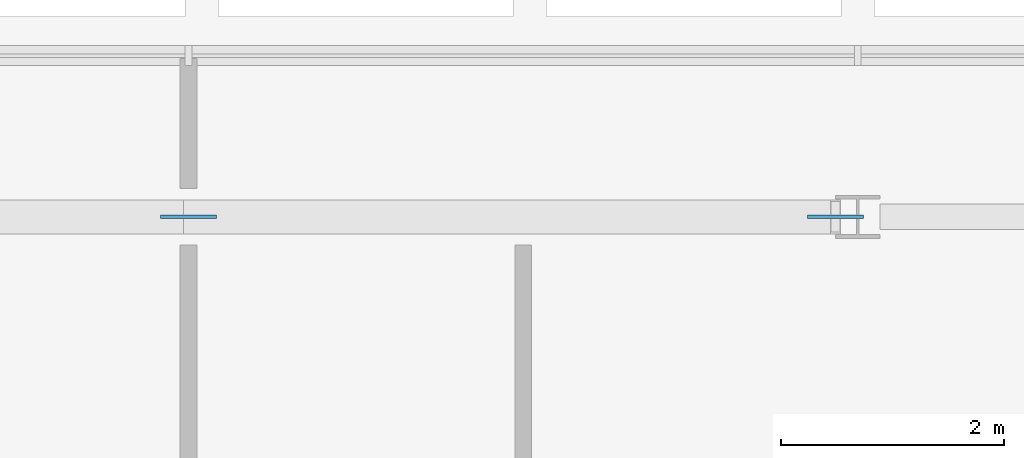
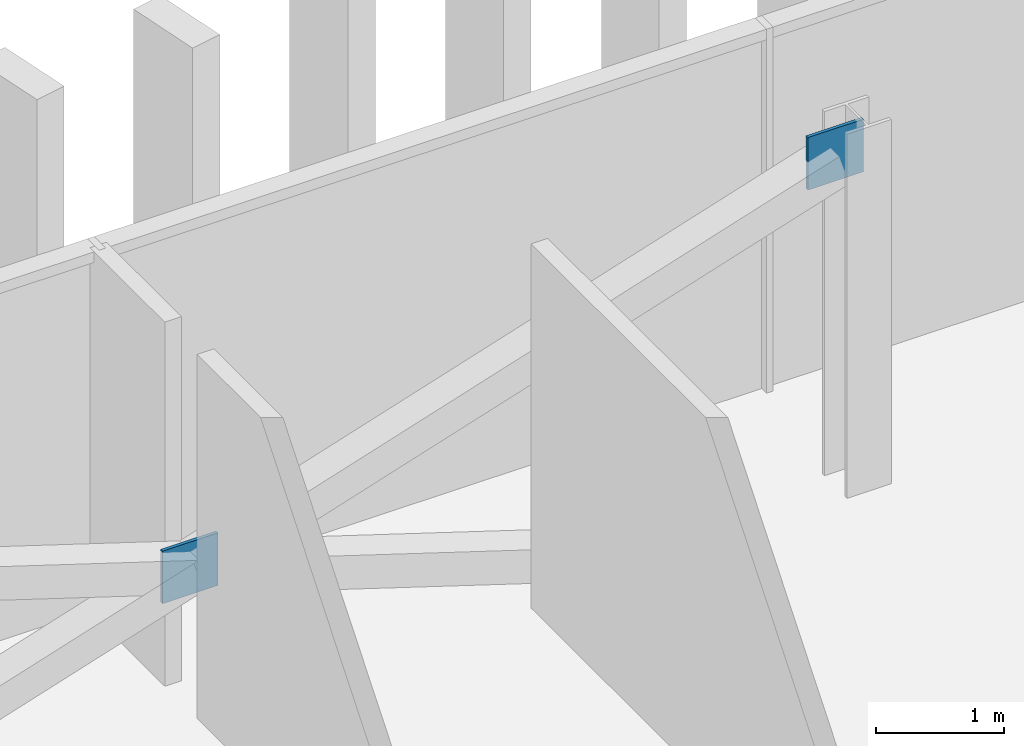
# One storey, part 24 of 32: 2 discrete accessories.
"""IFC4 building model written with IfcOpenShell, lengths in metres."""

from ifc_helpers import new_model, si_unit, direction, frame, origin, origin_2d, place, context, subcontext, project, spatial, rectangle, extrude, material, layer, layer_set, type_object, element, save


model = new_model("IFC4")

# Units and contexts
model_context = context("Model", 3, precision=1e-05, world=origin(), true_north=direction((0.0, 1.0)))
body_context = subcontext(model_context, "Body", "Model", "MODEL_VIEW")
ifc_project = project(units=[si_unit("LENGTHUNIT", "METRE"), si_unit("AREAUNIT", "SQUARE_METRE"), si_unit("VOLUMEUNIT", "CUBIC_METRE"), si_unit("PLANEANGLEUNIT", "RADIAN"), si_unit("MASSUNIT", "GRAM", prefix="KILO")], contexts=[model_context])

# Site, building, storey
site_placement = place(None, origin())
site = spatial("IfcSite", under=ifc_project, at=site_placement, CompositionType="ELEMENT")
building_placement = place(site_placement, origin())
building = spatial("IfcBuilding", under=site, at=building_placement, Name="Mahtab Terrace Research Tower", CompositionType="ELEMENT")
storey_placement = place(building_placement, frame((0.0, 0.0, 240.0)))
storey = spatial("IfcBuildingStorey", under=building, at=storey_placement, Name="L58", CompositionType="ELEMENT", Elevation=240.0)

# Discrete accessories
ifc_material = material(Name="Steel ASTM A992 Gr 50", Category="steel")
ifc_layer = layer(ifc_material, 0.030029296875)
ifc_layer_set = layer_set([ifc_layer], Name="Gusset plate 500x500x30")
discrete_accessory_type = type_object("IfcDiscreteAccessoryType", Name="Gusset plate 500x500x30", PredefinedType="USERDEFINED", material=ifc_layer_set)
for number, where, z_axis, x_axis, name in (
    (1, (0.0, 26.472900390625, 1.006591796875), (0.0, 0.0, 1.0), (1.0, 0.0, 0.0), "Gusset plate"),
    (2, (5.800537109375, 26.472900390625, 2.906494140625), (0.0, 0.0, 1.0), (1.0, 0.0, 0.0), "Gusset plate"),
):
    element("IfcDiscreteAccessory", number, at=place(storey_placement, frame(where, z_axis=z_axis, x_axis=x_axis)), inside=storey, type_object=discrete_accessory_type, Name=name, ObjectType="GUSSET PLATE", PredefinedType="USERDEFINED", context=body_context, shape_type="SweptSolid", body=[
        extrude(rectangle(XDim=0.5, YDim=0.030029296875, at=origin_2d()), origin(), (0.0, 0.0, 1.0), 0.5),
    ])

save(model, "model.ifc")
